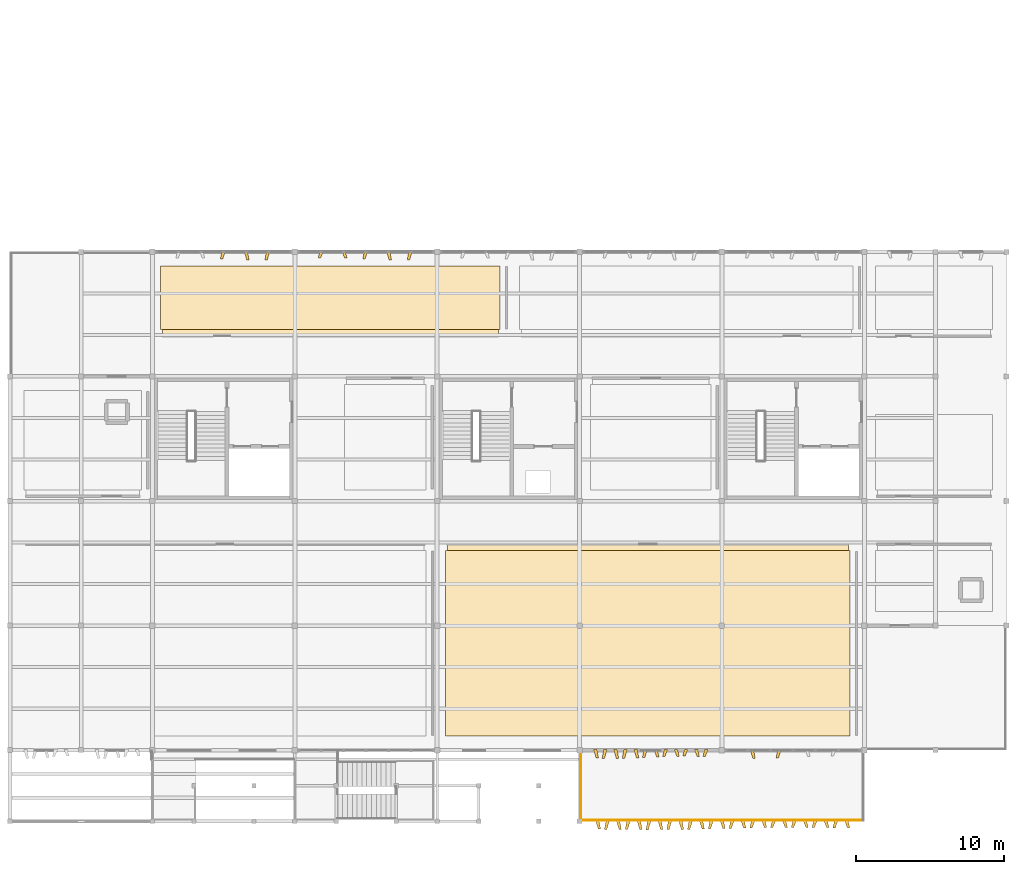
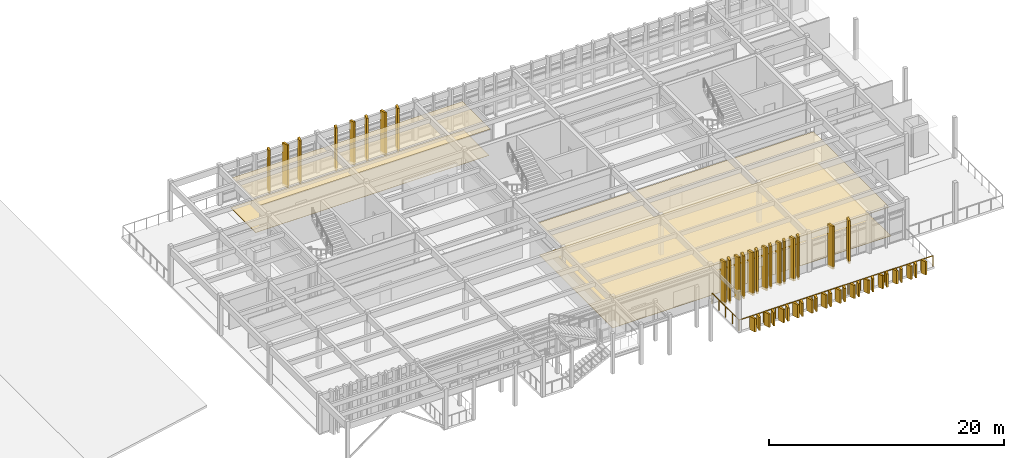
# One storey, part 17 of 18: 51 coverings, 2 railings.
"""IFC4 building model written with IfcOpenShell, lengths in metres."""

from ifc_helpers import new_model, si_unit, direction, frame, origin, origin_2d, place, context, subcontext, project, spatial, polyline, circle, outline, extrude, material, layer, layer_set, type_object, element, save


model = new_model("IFC4")

# Units and contexts
model_context = context("Model", 3, precision=1e-05, world=origin(), true_north=direction((0.0, 1.0)))
body_context = subcontext(model_context, "Body", "Model", "MODEL_VIEW")
ifc_project = project(units=[si_unit("LENGTHUNIT", "METRE"), si_unit("AREAUNIT", "SQUARE_METRE"), si_unit("VOLUMEUNIT", "CUBIC_METRE"), si_unit("PLANEANGLEUNIT", "RADIAN"), si_unit("MASSUNIT", "GRAM", prefix="KILO")], contexts=[model_context])

# Site, building, storey
site_placement = place(None, origin())
site = spatial("IfcSite", under=ifc_project, at=site_placement, CompositionType="ELEMENT")
building_placement = place(site_placement, origin())
building = spatial("IfcBuilding", under=site, at=building_placement, Name="Kolvemor Railside Polytechnic", CompositionType="ELEMENT")
storey_placement = place(building_placement, frame((0.0, 0.0, 18.60009765625)))
storey = spatial("IfcBuildingStorey", under=building, at=storey_placement, Name="L04", CompositionType="ELEMENT", Elevation=18.60009765625)

# Coverings
ifc_material_1 = material(Name="Perforated acoustic mineral-fibre and timber-slat ceiling", Category="wood")
ifc_layer_1 = layer(ifc_material_1, 0.02490234375, Name="COV-CEIL-1")
ifc_layer_set_1 = layer_set([ifc_layer_1], Name="Perforated acoustic mineral-fibre and timber-slat ceiling")
covering_type_1 = type_object("IfcCoveringType", Name="COV-CEIL-1", PredefinedType="CEILING", material=ifc_layer_set_1)
covering_1_placement = place(storey_placement, frame((0.0, 0.0, 3.02490234375)))
element("IfcCovering", 1, at=covering_1_placement, inside=storey, type_object=covering_type_1, Name="Seminar Room 401 Acoustic Ceiling", PredefinedType="CEILING", context=body_context, shape_type="SweptSolid", body=[
    extrude(outline(polyline([(67.8798828125, 32.719970703125), (90.52001953125, 32.719970703125), (90.52001953125, 37.449951171875), (67.8798828125, 37.449951171875), (67.8798828125, 32.719970703125)])), origin(), (0.0, 0.0, 1.0), 0.02490234375),
])
ifc_material_2 = material(Name="Perforated acoustic mineral-fibre and timber-slat ceiling", Category="wood")
ifc_layer_2 = layer(ifc_material_2, 0.030029296875, Name="COV-CEIL-2")
ifc_layer_set_2 = layer_set([ifc_layer_2], Name="Perforated acoustic mineral-fibre and timber-slat ceiling")
covering_type_2 = type_object("IfcCoveringType", Name="COV-CEIL-2", PredefinedType="CEILING", material=ifc_layer_set_2)
covering_2_placement = place(storey_placement, frame((0.0, 0.0, 3.02001953125)))
element("IfcCovering", 2, at=covering_2_placement, inside=storey, type_object=covering_type_2, Name="Parametric Computation Design Studio Acoustic Ceiling", PredefinedType="CEILING", context=body_context, shape_type="SweptSolid", body=[
    extrude(outline(polyline([(87.080078125, 5.75), (114.1201171875, 5.75), (114.1201171875, 18.679931640625), (87.080078125, 18.679931640625), (87.080078125, 5.75)])), origin(), (0.0, 0.0, 1.0), 0.02978515625),
])
ifc_material_3 = material(Name="Champagne-bronze PVDF-anodised marine aluminium 5052-H32", Category="aluminium")
ifc_layer_3 = layer(ifc_material_3, 0.179931640625, Name="COV-FIN-CHAMP")
ifc_layer_set_3 = layer_set([ifc_layer_3], Name="Champagne-bronze PVDF-anodised marine aluminium 5052-H32")
covering_type_3 = type_object("IfcCoveringType", Name="COV-FIN-CHAMP", PredefinedType="CLADDING", material=ifc_layer_set_3)
covering_3_placement = place(storey_placement, frame((0.0, 0.0, -0.25)))
element("IfcCovering", 3, at=covering_3_placement, inside=storey, type_object=covering_type_3, Name="Pleated Solar Fin L04-0400", PredefinedType="CLADDING", context=body_context, shape_type="SweptSolid", body=[
    extrude(outline(polyline([(96.945068359375, 4.8349609375), (97.175048828125, 4.8349609375), (97.280029296875, 4.263916015625), (97.1201171875, 4.263916015625), (96.945068359375, 4.8349609375)])), origin(), (0.0, 0.0, 1.0), 4.449951171875),
])
covering_4_placement = place(storey_placement, frame((0.0, 0.0, -0.25)))
element("IfcCovering", 4, at=covering_4_placement, inside=storey, type_object=covering_type_3, Name="Pleated Solar Fin L04-0401", PredefinedType="CLADDING", context=body_context, shape_type="SweptSolid", body=[
    extrude(outline(polyline([(97.625, 4.8349609375), (97.85498046875, 4.8349609375), (97.679931640625, 4.241943359375), (97.52001953125, 4.241943359375), (97.625, 4.8349609375)])), origin(), (0.0, 0.0, 1.0), 4.449951171875),
])
covering_5_placement = place(storey_placement, frame((0.0, 0.0, -0.25)))
element("IfcCovering", 5, at=covering_5_placement, inside=storey, type_object=covering_type_3, Name="Pleated Solar Fin L04-0402", PredefinedType="CLADDING", context=body_context, shape_type="SweptSolid", body=[
    extrude(outline(polyline([(98.304931640625, 4.8349609375), (98.534912109375, 4.8349609375), (98.639892578125, 4.235107421875), (98.47998046875, 4.235107421875), (98.304931640625, 4.8349609375)])), origin(), (0.0, 0.0, 1.0), 4.449951171875),
])
covering_6_placement = place(storey_placement, frame((0.0, 0.0, -0.25)))
element("IfcCovering", 6, at=covering_6_placement, inside=storey, type_object=covering_type_3, Name="Pleated Solar Fin L04-0403", PredefinedType="CLADDING", context=body_context, shape_type="SweptSolid", body=[
    extrude(outline(polyline([(98.985107421875, 4.8349609375), (99.215087890625, 4.8349609375), (99.0400390625, 4.242919921875), (98.8798828125, 4.242919921875), (98.985107421875, 4.8349609375)])), origin(), (0.0, 0.0, 1.0), 4.449951171875),
])
covering_7_placement = place(storey_placement, frame((0.0, 0.0, -0.25)))
element("IfcCovering", 7, at=covering_7_placement, inside=storey, type_object=covering_type_3, Name="Pleated Solar Fin L04-0404", PredefinedType="CLADDING", context=body_context, shape_type="SweptSolid", body=[
    extrude(outline(polyline([(99.6650390625, 4.8349609375), (99.89501953125, 4.8349609375), (100.0, 4.264892578125), (99.840087890625, 4.264892578125), (99.6650390625, 4.8349609375)])), origin(), (0.0, 0.0, 1.0), 4.449951171875),
])
covering_8_placement = place(storey_placement, frame((0.0, 0.0, -0.25)))
element("IfcCovering", 8, at=covering_8_placement, inside=storey, type_object=covering_type_3, Name="Pleated Solar Fin L04-0405", PredefinedType="CLADDING", context=body_context, shape_type="SweptSolid", body=[
    extrude(outline(polyline([(100.344970703125, 4.8349609375), (100.574951171875, 4.8349609375), (100.39990234375, 4.297119140625), (100.239990234375, 4.297119140625), (100.344970703125, 4.8349609375)])), origin(), (0.0, 0.0, 1.0), 4.449951171875),
])
covering_9_placement = place(storey_placement, frame((0.0, 0.0, -0.25)))
element("IfcCovering", 9, at=covering_9_placement, inside=storey, type_object=covering_type_3, Name="Pleated Solar Fin L04-0406", PredefinedType="CLADDING", context=body_context, shape_type="SweptSolid", body=[
    extrude(outline(polyline([(101.02490234375, 4.8349609375), (101.2548828125, 4.8349609375), (101.360107421875, 4.3330078125), (101.199951171875, 4.3330078125), (101.02490234375, 4.8349609375)])), origin(), (0.0, 0.0, 1.0), 4.449951171875),
])
covering_10_placement = place(storey_placement, frame((0.0, 0.0, -0.25)))
element("IfcCovering", 10, at=covering_10_placement, inside=storey, type_object=covering_type_3, Name="Pleated Solar Fin L04-0407", PredefinedType="CLADDING", context=body_context, shape_type="SweptSolid", body=[
    extrude(outline(polyline([(101.705078125, 4.8349609375), (101.93505859375, 4.8349609375), (101.760009765625, 4.364990234375), (101.60009765625, 4.364990234375), (101.705078125, 4.8349609375)])), origin(), (0.0, 0.0, 1.0), 4.449951171875),
])
covering_11_placement = place(storey_placement, frame((0.0, 0.0, -0.25)))
element("IfcCovering", 11, at=covering_11_placement, inside=storey, type_object=covering_type_3, Name="Pleated Solar Fin L04-0408", PredefinedType="CLADDING", context=body_context, shape_type="SweptSolid", body=[
    extrude(outline(polyline([(102.385009765625, 4.8349609375), (102.614990234375, 4.8349609375), (102.719970703125, 4.386962890625), (102.56005859375, 4.386962890625), (102.385009765625, 4.8349609375)])), origin(), (0.0, 0.0, 1.0), 4.449951171875),
])
covering_12_placement = place(storey_placement, frame((0.0, 0.0, -0.25)))
element("IfcCovering", 12, at=covering_12_placement, inside=storey, type_object=covering_type_3, Name="Pleated Solar Fin L04-0409", PredefinedType="CLADDING", context=body_context, shape_type="SweptSolid", body=[
    extrude(outline(polyline([(103.06494140625, 4.8349609375), (103.294921875, 4.8349609375), (103.1201171875, 4.39501953125), (102.9599609375, 4.39501953125), (103.06494140625, 4.8349609375)])), origin(), (0.0, 0.0, 1.0), 4.449951171875),
])
covering_13_placement = place(storey_placement, frame((0.0, 0.0, -0.25)))
element("IfcCovering", 13, at=covering_13_placement, inside=storey, type_object=covering_type_3, Name="Pleated Solar Fin L04-0410", PredefinedType="CLADDING", context=body_context, shape_type="SweptSolid", body=[
    extrude(outline(polyline([(103.7451171875, 4.8349609375), (103.97509765625, 4.8349609375), (104.080078125, 4.387939453125), (103.919921875, 4.387939453125), (103.7451171875, 4.8349609375)])), origin(), (0.0, 0.0, 1.0), 4.449951171875),
])
covering_14_placement = place(storey_placement, frame((0.0, 0.0, -0.25)))
element("IfcCovering", 14, at=covering_14_placement, inside=storey, type_object=covering_type_3, Name="Pleated Solar Fin L04-0411", PredefinedType="CLADDING", context=body_context, shape_type="SweptSolid", body=[
    extrude(outline(polyline([(104.425048828125, 4.8349609375), (104.655029296875, 4.8349609375), (104.47998046875, 4.365966796875), (104.320068359375, 4.365966796875), (104.425048828125, 4.8349609375)])), origin(), (0.0, 0.0, 1.0), 4.449951171875),
])
covering_15_placement = place(storey_placement, frame((0.0, 0.0, -0.22021484375)))
element("IfcCovering", 15, at=covering_15_placement, inside=storey, type_object=covering_type_3, Name="Pleated Solar Fin L04-0855", PredefinedType="CLADDING", context=body_context, shape_type="SweptSolid", body=[
    extrude(outline(polyline([(97.0849609375, 0.034912109375), (97.31494140625, 0.034912109375), (97.419921875, -0.51611328125), (97.260009765625, -0.51611328125), (97.0849609375, 0.034912109375)])), origin(), (0.0, 0.0, 1.0), 1.3701171875),
])
covering_16_placement = place(storey_placement, frame((0.0, 0.0, -0.22021484375)))
element("IfcCovering", 16, at=covering_16_placement, inside=storey, type_object=covering_type_3, Name="Pleated Solar Fin L04-0856", PredefinedType="CLADDING", context=body_context, shape_type="SweptSolid", body=[
    extrude(outline(polyline([(97.784912109375, 0.034912109375), (98.014892578125, 0.034912109375), (97.840087890625, -0.531982421875), (97.679931640625, -0.531982421875), (97.784912109375, 0.034912109375)])), origin(), (0.0, 0.0, 1.0), 1.3701171875),
])
covering_17_placement = place(storey_placement, frame((0.0, 0.0, -0.22021484375)))
element("IfcCovering", 17, at=covering_17_placement, inside=storey, type_object=covering_type_3, Name="Pleated Solar Fin L04-0857", PredefinedType="CLADDING", context=body_context, shape_type="SweptSolid", body=[
    extrude(outline(polyline([(98.485107421875, 0.034912109375), (98.715087890625, 0.034912109375), (98.820068359375, -0.544921875), (98.659912109375, -0.544921875), (98.485107421875, 0.034912109375)])), origin(), (0.0, 0.0, 1.0), 1.3701171875),
])
covering_18_placement = place(storey_placement, frame((0.0, 0.0, -0.22021484375)))
element("IfcCovering", 18, at=covering_18_placement, inside=storey, type_object=covering_type_3, Name="Pleated Solar Fin L04-0858", PredefinedType="CLADDING", context=body_context, shape_type="SweptSolid", body=[
    extrude(outline(polyline([(99.18505859375, 0.034912109375), (99.4150390625, 0.034912109375), (99.239990234375, -0.555908203125), (99.080078125, -0.555908203125), (99.18505859375, 0.034912109375)])), origin(), (0.0, 0.0, 1.0), 1.3701171875),
])
covering_19_placement = place(storey_placement, frame((0.0, 0.0, -0.22021484375)))
element("IfcCovering", 19, at=covering_19_placement, inside=storey, type_object=covering_type_3, Name="Pleated Solar Fin L04-0859", PredefinedType="CLADDING", context=body_context, shape_type="SweptSolid", body=[
    extrude(outline(polyline([(99.885009765625, 0.034912109375), (100.114990234375, 0.034912109375), (100.219970703125, -0.56201171875), (100.06005859375, -0.56201171875), (99.885009765625, 0.034912109375)])), origin(), (0.0, 0.0, 1.0), 1.3701171875),
])
covering_20_placement = place(storey_placement, frame((0.0, 0.0, -0.22021484375)))
element("IfcCovering", 20, at=covering_20_placement, inside=storey, type_object=covering_type_3, Name="Pleated Solar Fin L04-0860", PredefinedType="CLADDING", context=body_context, shape_type="SweptSolid", body=[
    extrude(outline(polyline([(100.5849609375, 0.034912109375), (100.81494140625, 0.034912109375), (100.639892578125, -0.56494140625), (100.47998046875, -0.56494140625), (100.5849609375, 0.034912109375)])), origin(), (0.0, 0.0, 1.0), 1.3701171875),
])
covering_21_placement = place(storey_placement, frame((0.0, 0.0, -0.22021484375)))
element("IfcCovering", 21, at=covering_21_placement, inside=storey, type_object=covering_type_3, Name="Pleated Solar Fin L04-0861", PredefinedType="CLADDING", context=body_context, shape_type="SweptSolid", body=[
    extrude(outline(polyline([(101.284912109375, 0.034912109375), (101.514892578125, 0.034912109375), (101.6201171875, -0.56298828125), (101.4599609375, -0.56298828125), (101.284912109375, 0.034912109375)])), origin(), (0.0, 0.0, 1.0), 1.3701171875),
])
covering_22_placement = place(storey_placement, frame((0.0, 0.0, -0.22021484375)))
element("IfcCovering", 22, at=covering_22_placement, inside=storey, type_object=covering_type_3, Name="Pleated Solar Fin L04-0862", PredefinedType="CLADDING", context=body_context, shape_type="SweptSolid", body=[
    extrude(outline(polyline([(101.985107421875, 0.034912109375), (102.215087890625, 0.034912109375), (102.0400390625, -0.55810546875), (101.8798828125, -0.55810546875), (101.985107421875, 0.034912109375)])), origin(), (0.0, 0.0, 1.0), 1.3701171875),
])
covering_23_placement = place(storey_placement, frame((0.0, 0.0, -0.22021484375)))
element("IfcCovering", 23, at=covering_23_placement, inside=storey, type_object=covering_type_3, Name="Pleated Solar Fin L04-0863", PredefinedType="CLADDING", context=body_context, shape_type="SweptSolid", body=[
    extrude(outline(polyline([(102.68505859375, 0.034912109375), (102.9150390625, 0.034912109375), (103.02001953125, -0.548095703125), (102.860107421875, -0.548095703125), (102.68505859375, 0.034912109375)])), origin(), (0.0, 0.0, 1.0), 1.3701171875),
])
covering_24_placement = place(storey_placement, frame((0.0, 0.0, -0.22021484375)))
element("IfcCovering", 24, at=covering_24_placement, inside=storey, type_object=covering_type_3, Name="Pleated Solar Fin L04-0864", PredefinedType="CLADDING", context=body_context, shape_type="SweptSolid", body=[
    extrude(outline(polyline([(103.385009765625, 0.034912109375), (103.614990234375, 0.034912109375), (103.43994140625, -0.535888671875), (103.280029296875, -0.535888671875), (103.385009765625, 0.034912109375)])), origin(), (0.0, 0.0, 1.0), 1.3701171875),
])
covering_25_placement = place(storey_placement, frame((0.0, 0.0, -0.22021484375)))
element("IfcCovering", 25, at=covering_25_placement, inside=storey, type_object=covering_type_3, Name="Pleated Solar Fin L04-0865", PredefinedType="CLADDING", context=body_context, shape_type="SweptSolid", body=[
    extrude(outline(polyline([(104.0849609375, 0.034912109375), (104.31494140625, 0.034912109375), (104.419921875, -0.52001953125), (104.260009765625, -0.52001953125), (104.0849609375, 0.034912109375)])), origin(), (0.0, 0.0, 1.0), 1.3701171875),
])
covering_26_placement = place(storey_placement, frame((0.0, 0.0, -0.22021484375)))
element("IfcCovering", 26, at=covering_26_placement, inside=storey, type_object=covering_type_3, Name="Pleated Solar Fin L04-0866", PredefinedType="CLADDING", context=body_context, shape_type="SweptSolid", body=[
    extrude(outline(polyline([(104.784912109375, 0.034912109375), (105.014892578125, 0.034912109375), (104.840087890625, -0.5029296875), (104.679931640625, -0.5029296875), (104.784912109375, 0.034912109375)])), origin(), (0.0, 0.0, 1.0), 1.3701171875),
])
covering_27_placement = place(storey_placement, frame((0.0, 0.0, -0.22021484375)))
element("IfcCovering", 27, at=covering_27_placement, inside=storey, type_object=covering_type_3, Name="Pleated Solar Fin L04-0867", PredefinedType="CLADDING", context=body_context, shape_type="SweptSolid", body=[
    extrude(outline(polyline([(105.485107421875, 0.034912109375), (105.715087890625, 0.034912109375), (105.820068359375, -0.485107421875), (105.659912109375, -0.485107421875), (105.485107421875, 0.034912109375)])), origin(), (0.0, 0.0, 1.0), 1.3701171875),
])
covering_28_placement = place(storey_placement, frame((0.0, 0.0, -0.22021484375)))
element("IfcCovering", 28, at=covering_28_placement, inside=storey, type_object=covering_type_3, Name="Pleated Solar Fin L04-0868", PredefinedType="CLADDING", context=body_context, shape_type="SweptSolid", body=[
    extrude(outline(polyline([(106.18505859375, 0.034912109375), (106.4150390625, 0.034912109375), (106.239990234375, -0.467041015625), (106.080078125, -0.467041015625), (106.18505859375, 0.034912109375)])), origin(), (0.0, 0.0, 1.0), 1.3701171875),
])
covering_29_placement = place(storey_placement, frame((0.0, 0.0, -0.22021484375)))
element("IfcCovering", 29, at=covering_29_placement, inside=storey, type_object=covering_type_3, Name="Pleated Solar Fin L04-0869", PredefinedType="CLADDING", context=body_context, shape_type="SweptSolid", body=[
    extrude(outline(polyline([(106.885009765625, 0.034912109375), (107.114990234375, 0.034912109375), (107.219970703125, -0.449951171875), (107.06005859375, -0.449951171875), (106.885009765625, 0.034912109375)])), origin(), (0.0, 0.0, 1.0), 1.3701171875),
])
covering_30_placement = place(storey_placement, frame((0.0, 0.0, -0.22021484375)))
element("IfcCovering", 30, at=covering_30_placement, inside=storey, type_object=covering_type_3, Name="Pleated Solar Fin L04-0870", PredefinedType="CLADDING", context=body_context, shape_type="SweptSolid", body=[
    extrude(outline(polyline([(107.5849609375, 0.034912109375), (107.81494140625, 0.034912109375), (107.639892578125, -0.43408203125), (107.47998046875, -0.43408203125), (107.5849609375, 0.034912109375)])), origin(), (0.0, 0.0, 1.0), 1.3701171875),
])
covering_31_placement = place(storey_placement, frame((0.0, 0.0, -0.22021484375)))
element("IfcCovering", 31, at=covering_31_placement, inside=storey, type_object=covering_type_3, Name="Pleated Solar Fin L04-0871", PredefinedType="CLADDING", context=body_context, shape_type="SweptSolid", body=[
    extrude(outline(polyline([(108.284912109375, 0.034912109375), (108.514892578125, 0.034912109375), (108.6201171875, -0.422119140625), (108.4599609375, -0.422119140625), (108.284912109375, 0.034912109375)])), origin(), (0.0, 0.0, 1.0), 1.3701171875),
])
covering_32_placement = place(storey_placement, frame((0.0, 0.0, -0.22021484375)))
element("IfcCovering", 32, at=covering_32_placement, inside=storey, type_object=covering_type_3, Name="Pleated Solar Fin L04-0872", PredefinedType="CLADDING", context=body_context, shape_type="SweptSolid", body=[
    extrude(outline(polyline([(108.985107421875, 0.034912109375), (109.215087890625, 0.034912109375), (109.0400390625, -0.412109375), (108.8798828125, -0.412109375), (108.985107421875, 0.034912109375)])), origin(), (0.0, 0.0, 1.0), 1.3701171875),
])
covering_33_placement = place(storey_placement, frame((0.0, 0.0, -0.22021484375)))
element("IfcCovering", 33, at=covering_33_placement, inside=storey, type_object=covering_type_3, Name="Pleated Solar Fin L04-0873", PredefinedType="CLADDING", context=body_context, shape_type="SweptSolid", body=[
    extrude(outline(polyline([(109.68505859375, 0.034912109375), (109.9150390625, 0.034912109375), (110.02001953125, -0.406982421875), (109.860107421875, -0.406982421875), (109.68505859375, 0.034912109375)])), origin(), (0.0, 0.0, 1.0), 1.3701171875),
])
covering_34_placement = place(storey_placement, frame((0.0, 0.0, -0.22021484375)))
element("IfcCovering", 34, at=covering_34_placement, inside=storey, type_object=covering_type_3, Name="Pleated Solar Fin L04-0874", PredefinedType="CLADDING", context=body_context, shape_type="SweptSolid", body=[
    extrude(outline(polyline([(110.385009765625, 0.034912109375), (110.614990234375, 0.034912109375), (110.43994140625, -0.405029296875), (110.280029296875, -0.405029296875), (110.385009765625, 0.034912109375)])), origin(), (0.0, 0.0, 1.0), 1.3701171875),
])
covering_35_placement = place(storey_placement, frame((0.0, 0.0, -0.22021484375)))
element("IfcCovering", 35, at=covering_35_placement, inside=storey, type_object=covering_type_3, Name="Pleated Solar Fin L04-0875", PredefinedType="CLADDING", context=body_context, shape_type="SweptSolid", body=[
    extrude(outline(polyline([(111.0849609375, 0.034912109375), (111.31494140625, 0.034912109375), (111.419921875, -0.407958984375), (111.260009765625, -0.407958984375), (111.0849609375, 0.034912109375)])), origin(), (0.0, 0.0, 1.0), 1.3701171875),
])
covering_36_placement = place(storey_placement, frame((0.0, 0.0, -0.22021484375)))
element("IfcCovering", 36, at=covering_36_placement, inside=storey, type_object=covering_type_3, Name="Pleated Solar Fin L04-0876", PredefinedType="CLADDING", context=body_context, shape_type="SweptSolid", body=[
    extrude(outline(polyline([(111.784912109375, 0.034912109375), (112.014892578125, 0.034912109375), (111.840087890625, -0.4140625), (111.679931640625, -0.4140625), (111.784912109375, 0.034912109375)])), origin(), (0.0, 0.0, 1.0), 1.3701171875),
])
covering_37_placement = place(storey_placement, frame((0.0, 0.0, -0.22021484375)))
element("IfcCovering", 37, at=covering_37_placement, inside=storey, type_object=covering_type_3, Name="Pleated Solar Fin L04-0877", PredefinedType="CLADDING", context=body_context, shape_type="SweptSolid", body=[
    extrude(outline(polyline([(112.485107421875, 0.034912109375), (112.715087890625, 0.034912109375), (112.820068359375, -0.425048828125), (112.659912109375, -0.425048828125), (112.485107421875, 0.034912109375)])), origin(), (0.0, 0.0, 1.0), 1.3701171875),
])
covering_38_placement = place(storey_placement, frame((0.0, 0.0, -0.22021484375)))
element("IfcCovering", 38, at=covering_38_placement, inside=storey, type_object=covering_type_3, Name="Pleated Solar Fin L04-0878", PredefinedType="CLADDING", context=body_context, shape_type="SweptSolid", body=[
    extrude(outline(polyline([(113.18505859375, 0.034912109375), (113.4150390625, 0.034912109375), (113.239990234375, -0.43798828125), (113.080078125, -0.43798828125), (113.18505859375, 0.034912109375)])), origin(), (0.0, 0.0, 1.0), 1.3701171875),
])
covering_39_placement = place(storey_placement, frame((0.0, 0.0, -0.22021484375)))
element("IfcCovering", 39, at=covering_39_placement, inside=storey, type_object=covering_type_3, Name="Pleated Solar Fin L04-0879", PredefinedType="CLADDING", context=body_context, shape_type="SweptSolid", body=[
    extrude(outline(polyline([(113.885009765625, 0.034912109375), (114.114990234375, 0.034912109375), (114.219970703125, -0.4541015625), (114.06005859375, -0.4541015625), (113.885009765625, 0.034912109375)])), origin(), (0.0, 0.0, 1.0), 1.3701171875),
])
ifc_material_4 = material(Name="Sea-mist PVDF-anodised marine aluminium 5052-H32", Category="aluminium")
ifc_layer_4 = layer(ifc_material_4, 0.159912109375, Name="COV-FIN-MIST")
ifc_layer_set_4 = layer_set([ifc_layer_4], Name="Sea-mist PVDF-anodised marine aluminium 5052-H32")
covering_type_4 = type_object("IfcCoveringType", Name="COV-FIN-MIST", PredefinedType="CLADDING", material=ifc_layer_set_4)
covering_40_placement = place(storey_placement, frame((0.0, 0.0, -0.25)))
element("IfcCovering", 40, at=covering_40_placement, inside=storey, type_object=covering_type_4, Name="Pleated Solar Fin L04-0412", PredefinedType="CLADDING", context=body_context, shape_type="SweptSolid", body=[
    extrude(outline(polyline([(107.510009765625, 4.8349609375), (107.739990234375, 4.8349609375), (107.844970703125, 4.237060546875), (107.68505859375, 4.237060546875), (107.510009765625, 4.8349609375)])), origin(), (0.0, 0.0, 1.0), 4.449951171875),
])
covering_41_placement = place(storey_placement, frame((0.0, 0.0, -0.25)))
element("IfcCovering", 41, at=covering_41_placement, inside=storey, type_object=covering_type_4, Name="Pleated Solar Fin L04-0413", PredefinedType="CLADDING", context=body_context, shape_type="SweptSolid", body=[
    extrude(outline(polyline([(109.360107421875, 4.8349609375), (109.590087890625, 4.8349609375), (109.4150390625, 4.26904296875), (109.2548828125, 4.26904296875), (109.360107421875, 4.8349609375)])), origin(), (0.0, 0.0, 1.0), 4.449951171875),
])
covering_42_placement = place(storey_placement, frame((0.0, 0.0, -0.25)))
element("IfcCovering", 42, at=covering_42_placement, inside=storey, type_object=covering_type_4, Name="Pleated Solar Fin L04-0561", PredefinedType="CLADDING", context=body_context, shape_type="SweptSolid", body=[
    extrude(outline(polyline([(75.114990234375, 38.43505859375), (74.885009765625, 38.43505859375), (74.780029296875, 37.841064453125), (74.93994140625, 37.841064453125), (75.114990234375, 38.43505859375)])), origin(), (0.0, 0.0, 1.0), 4.449951171875),
])
covering_43_placement = place(storey_placement, frame((0.0, 0.0, -0.25)))
element("IfcCovering", 43, at=covering_43_placement, inside=storey, type_object=covering_type_4, Name="Pleated Solar Fin L04-0562", PredefinedType="CLADDING", context=body_context, shape_type="SweptSolid", body=[
    extrude(outline(polyline([(73.614990234375, 38.43505859375), (73.385009765625, 38.43505859375), (73.56005859375, 37.847900390625), (73.719970703125, 37.847900390625), (73.614990234375, 38.43505859375)])), origin(), (0.0, 0.0, 1.0), 4.449951171875),
])
covering_44_placement = place(storey_placement, frame((0.0, 0.0, -0.25)))
element("IfcCovering", 44, at=covering_44_placement, inside=storey, type_object=covering_type_4, Name="Pleated Solar Fin L04-0563", PredefinedType="CLADDING", context=body_context, shape_type="SweptSolid", body=[
    extrude(outline(polyline([(72.114990234375, 38.43505859375), (71.885009765625, 38.43505859375), (71.780029296875, 37.9150390625), (71.93994140625, 37.9150390625), (72.114990234375, 38.43505859375)])), origin(), (0.0, 0.0, 1.0), 4.449951171875),
])
covering_45_placement = place(storey_placement, frame((0.0, 0.0, -0.25)))
element("IfcCovering", 45, at=covering_45_placement, inside=storey, type_object=covering_type_4, Name="Pleated Solar Fin L04-0566", PredefinedType="CLADDING", context=body_context, shape_type="SweptSolid", body=[
    extrude(outline(polyline([(84.715087890625, 38.43505859375), (84.485107421875, 38.43505859375), (84.3798828125, 37.841064453125), (84.5400390625, 37.841064453125), (84.715087890625, 38.43505859375)])), origin(), (0.0, 0.0, 1.0), 4.449951171875),
])
covering_46_placement = place(storey_placement, frame((0.0, 0.0, -0.25)))
element("IfcCovering", 46, at=covering_46_placement, inside=storey, type_object=covering_type_4, Name="Pleated Solar Fin L04-0567", PredefinedType="CLADDING", context=body_context, shape_type="SweptSolid", body=[
    extrude(outline(polyline([(83.215087890625, 38.43505859375), (82.985107421875, 38.43505859375), (83.159912109375, 37.847900390625), (83.320068359375, 37.847900390625), (83.215087890625, 38.43505859375)])), origin(), (0.0, 0.0, 1.0), 4.449951171875),
])
covering_47_placement = place(storey_placement, frame((0.0, 0.0, -0.25)))
element("IfcCovering", 47, at=covering_47_placement, inside=storey, type_object=covering_type_4, Name="Pleated Solar Fin L04-0568", PredefinedType="CLADDING", context=body_context, shape_type="SweptSolid", body=[
    extrude(outline(polyline([(81.715087890625, 38.43505859375), (81.485107421875, 38.43505859375), (81.3798828125, 37.9150390625), (81.5400390625, 37.9150390625), (81.715087890625, 38.43505859375)])), origin(), (0.0, 0.0, 1.0), 4.449951171875),
])
covering_48_placement = place(storey_placement, frame((0.0, 0.0, -0.25)))
element("IfcCovering", 48, at=covering_48_placement, inside=storey, type_object=covering_type_4, Name="Pleated Solar Fin L04-0569", PredefinedType="CLADDING", context=body_context, shape_type="SweptSolid", body=[
    extrude(outline(polyline([(80.215087890625, 38.43505859375), (79.985107421875, 38.43505859375), (80.159912109375, 37.98193359375), (80.320068359375, 37.98193359375), (80.215087890625, 38.43505859375)])), origin(), (0.0, 0.0, 1.0), 4.449951171875),
])
covering_49_placement = place(storey_placement, frame((0.0, 0.0, -0.25)))
element("IfcCovering", 49, at=covering_49_placement, inside=storey, type_object=covering_type_4, Name="Pleated Solar Fin L04-0570", PredefinedType="CLADDING", context=body_context, shape_type="SweptSolid", body=[
    extrude(outline(polyline([(78.715087890625, 38.43505859375), (78.485107421875, 38.43505859375), (78.3798828125, 37.989013671875), (78.5400390625, 37.989013671875), (78.715087890625, 38.43505859375)])), origin(), (0.0, 0.0, 1.0), 4.449951171875),
])
ifc_material_5 = material(Name="Polished coral-aggregate terrazzo and laboratory epoxy flooring")
ifc_layer_5 = layer(ifc_material_5, 0.02001953125, Name="COV-FLR-1")
ifc_layer_set_5 = layer_set([ifc_layer_5], Name="Polished coral-aggregate terrazzo and laboratory epoxy flooring")
covering_type_5 = type_object("IfcCoveringType", Name="COV-FLR-1", PredefinedType="FLOORING", material=ifc_layer_set_5)
covering_50_placement = place(storey_placement, origin())
element("IfcCovering", 50, at=covering_50_placement, inside=storey, type_object=covering_type_5, Name="Seminar Room 401 Floor Finish", PredefinedType="FLOORING", context=body_context, shape_type="SweptSolid", body=[
    extrude(outline(polyline([(67.75, 33.14990234375), (90.64990234375, 33.14990234375), (90.64990234375, 37.449951171875), (67.75, 37.449951171875), (67.75, 33.14990234375)])), origin(), (0.0, 0.0, 1.0), 0.02001953125),
])
ifc_material_6 = material(Name="Polished coral-aggregate terrazzo and laboratory epoxy flooring")
ifc_layer_6 = layer(ifc_material_6, 0.02490234375, Name="COV-FLR-2")
ifc_layer_set_6 = layer_set([ifc_layer_6], Name="Polished coral-aggregate terrazzo and laboratory epoxy flooring")
covering_type_6 = type_object("IfcCoveringType", Name="COV-FLR-2", PredefinedType="FLOORING", material=ifc_layer_set_6)
covering_51_placement = place(storey_placement, origin())
element("IfcCovering", 51, at=covering_51_placement, inside=storey, type_object=covering_type_6, Name="Parametric Computation Design Studio Floor Finish", PredefinedType="FLOORING", context=body_context, shape_type="SweptSolid", body=[
    extrude(outline(polyline([(86.949951171875, 5.75), (114.25, 5.75), (114.25, 18.25), (86.949951171875, 18.25), (86.949951171875, 5.75)])), origin(), (0.0, 0.0, 1.0), 0.02490234375),
])

# Railings
ifc_material_7 = material(Name="AISI 316 marine stainless-steel balustrade guard", Category="steel")
railing_type = type_object("IfcRailingType", Name="RLG-GUARD-1120", PredefinedType="BALUSTRADE", material=ifc_material_7)
railing_1_placement = place(storey_placement, frame((96.080078125, 0.080078125, 0.0)))
element("IfcRailing", 52, at=railing_1_placement, inside=storey, type_object=railing_type, Name="Shifted South-East Terrace L04 S Guard GR-026", PredefinedType="BALUSTRADE", context=body_context, shape_type="SweptSolid", body=[
    extrude(circle(Radius=0.02392578125, at=origin_2d()), frame((0.054931640625, 0.0, 1.09619140625), z_axis=(1.0, 0.0, 0.0), x_axis=(0.0, 1.0, 0.0)), (0.0, 0.0, 1.0), 18.929931640625),
    extrude(circle(Radius=0.02099609375, at=origin_2d()), origin(), (0.0, 0.0, 1.0), 1.05712890625),
    extrude(circle(Radius=0.02099609375, at=origin_2d()), frame((1.18994140625, 0.0, 0.0)), (0.0, 0.0, 1.0), 1.05712890625),
    extrude(circle(Radius=0.02099609375, at=origin_2d()), frame((2.3798828125, 0.0, 0.0)), (0.0, 0.0, 1.0), 1.05712890625),
    extrude(circle(Radius=0.02099609375, at=origin_2d()), frame((3.570068359375, 0.0, 0.0)), (0.0, 0.0, 1.0), 1.05712890625),
    extrude(circle(Radius=0.02099609375, at=origin_2d()), frame((4.760009765625, 0.0, 0.0)), (0.0, 0.0, 1.0), 1.05712890625),
    extrude(circle(Radius=0.02099609375, at=origin_2d()), frame((5.949951171875, 0.0, 0.0)), (0.0, 0.0, 1.0), 1.05712890625),
    extrude(circle(Radius=0.02099609375, at=origin_2d()), frame((7.14013671875, 0.0, 0.0)), (0.0, 0.0, 1.0), 1.05712890625),
    extrude(circle(Radius=0.02099609375, at=origin_2d()), frame((8.330078125, 0.0, 0.0)), (0.0, 0.0, 1.0), 1.05712890625),
    extrude(circle(Radius=0.02099609375, at=origin_2d()), frame((9.52001953125, 0.0, 0.0)), (0.0, 0.0, 1.0), 1.05712890625),
    extrude(circle(Radius=0.02099609375, at=origin_2d()), frame((10.7099609375, 0.0, 0.0)), (0.0, 0.0, 1.0), 1.05712890625),
    extrude(circle(Radius=0.02099609375, at=origin_2d()), frame((11.89990234375, 0.0, 0.0)), (0.0, 0.0, 1.0), 1.05712890625),
    extrude(circle(Radius=0.02099609375, at=origin_2d()), frame((13.090087890625, 0.0, 0.0)), (0.0, 0.0, 1.0), 1.05712890625),
    extrude(circle(Radius=0.02099609375, at=origin_2d()), frame((14.280029296875, 0.0, 0.0)), (0.0, 0.0, 1.0), 1.05712890625),
    extrude(circle(Radius=0.02099609375, at=origin_2d()), frame((15.469970703125, 0.0, 0.0)), (0.0, 0.0, 1.0), 1.05712890625),
    extrude(circle(Radius=0.02099609375, at=origin_2d()), frame((16.66015625, 0.0, 0.0)), (0.0, 0.0, 1.0), 1.05712890625),
    extrude(circle(Radius=0.02099609375, at=origin_2d()), frame((17.85009765625, 0.0, 0.0)), (0.0, 0.0, 1.0), 1.05712890625),
    extrude(circle(Radius=0.02099609375, at=origin_2d()), frame((19.0400390625, 0.0, 0.0)), (0.0, 0.0, 1.0), 1.05712890625),
])
railing_2_placement = place(storey_placement, frame((96.080078125, 4.659912109375, 0.0)))
element("IfcRailing", 53, at=railing_2_placement, inside=storey, type_object=railing_type, Name="Shifted South-East Terrace L04 W Guard GR-028", PredefinedType="BALUSTRADE", context=body_context, shape_type="SweptSolid", body=[
    extrude(circle(Radius=0.02392578125, at=origin_2d()), frame((0.0, -0.054931640625, 1.09619140625), z_axis=(0.0, -1.0, 0.0), x_axis=(1.0, 0.0, 0.0)), (0.0, 0.0, 1.0), 4.4697265625),
    extrude(circle(Radius=0.02099609375, at=origin_2d()), origin(), (0.0, 0.0, 1.0), 1.05712890625),
    extrude(circle(Radius=0.02099609375, at=origin_2d()), frame((0.0, -1.14501953125, 0.0)), (0.0, 0.0, 1.0), 1.05712890625),
    extrude(circle(Radius=0.02099609375, at=origin_2d()), frame((0.0, -2.2900390625, 0.0)), (0.0, 0.0, 1.0), 1.05712890625),
    extrude(circle(Radius=0.02099609375, at=origin_2d()), frame((0.0, -3.434814453125, 0.0)), (0.0, 0.0, 1.0), 1.05712890625),
    extrude(circle(Radius=0.02099609375, at=origin_2d()), frame((0.0, -4.579833984375, 0.0)), (0.0, 0.0, 1.0), 1.05712890625),
])

save(model, "model.ifc")
